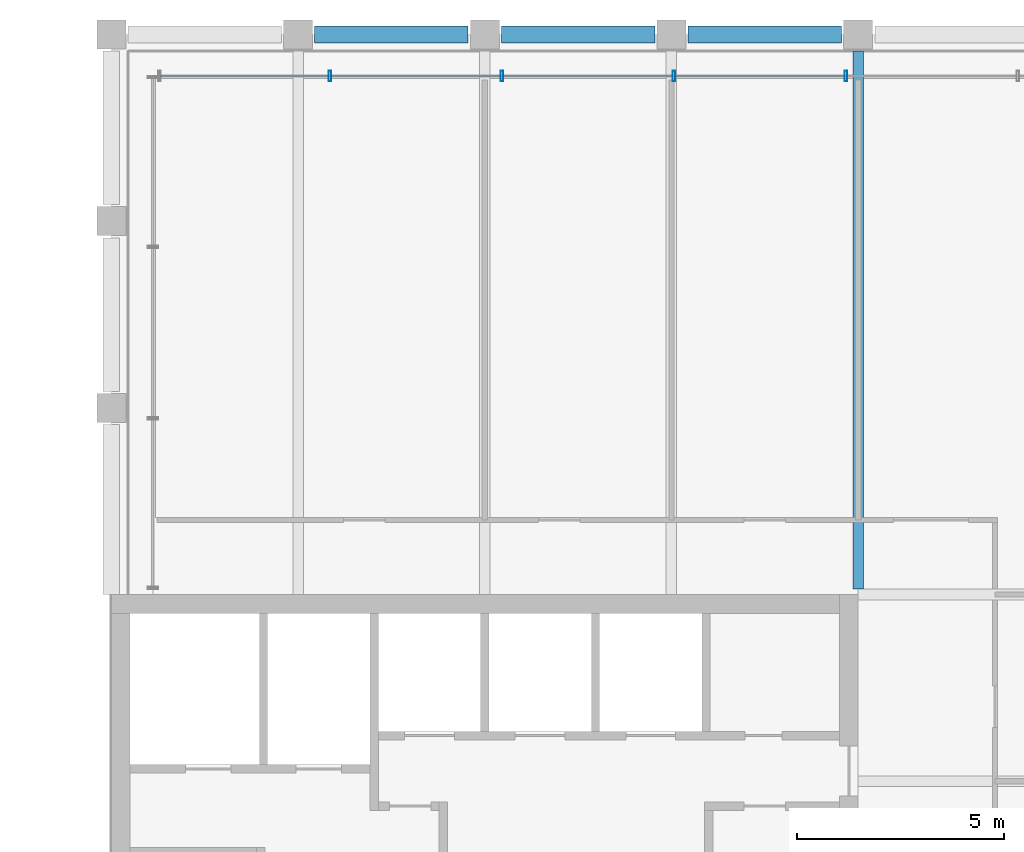
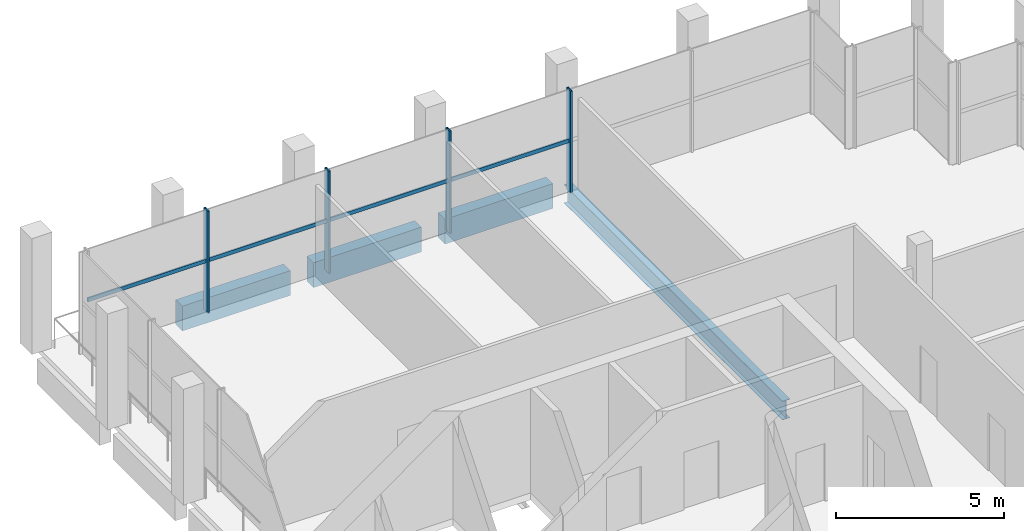
# One storey, part 11 of 17: 8 members, 4 beams, 1 element without a shape of its own.
"""IFC4 building model written with IfcOpenShell, lengths in metres."""

from ifc_helpers import new_model, si_unit, direction, frame, origin, origin_2d, place, context, subcontext, project, spatial, rectangle, hollow_rectangle, i_section, extrude, material, material_profile, profile_set, type_object, element, aggregate, save


model = new_model("IFC4")

# Units and contexts
model_context = context("Model", 3, precision=1e-05, world=origin(), true_north=direction((0.0, 1.0)))
body_context = subcontext(model_context, "Body", "Model", "MODEL_VIEW")
ifc_project = project(units=[si_unit("LENGTHUNIT", "METRE"), si_unit("AREAUNIT", "SQUARE_METRE"), si_unit("VOLUMEUNIT", "CUBIC_METRE"), si_unit("PLANEANGLEUNIT", "RADIAN"), si_unit("MASSUNIT", "GRAM", prefix="KILO")], contexts=[model_context])

# Site, building, storey
site_placement = place(None, origin())
site = spatial("IfcSite", under=ifc_project, at=site_placement, CompositionType="ELEMENT")
building_placement = place(site_placement, origin())
building = spatial("IfcBuilding", under=site, at=building_placement, Name="Altepetl Exchange Towers", CompositionType="ELEMENT")
storey_placement = place(building_placement, frame((0.0, 0.0, 251.0)))
storey = spatial("IfcBuildingStorey", under=building, at=storey_placement, Name="L64", CompositionType="ELEMENT", Elevation=251.0)

# Beam
ifc_material_1 = material(Name="Steel S355", Category="steel")
ifc_material_profile_1 = material_profile(ifc_material_1, i_section(OverallWidth=0.25390625, OverallDepth=0.68408203125, WebThickness=0.012451171875, FlangeThickness=0.018798828125, at=origin_2d()), Name="W27X94")
ifc_profile_set_1 = profile_set([ifc_material_profile_1], Name="Steel S355")
beam_type_1 = type_object("IfcBeamType", Name="Floor beam W27X94", PredefinedType="BEAM", material=ifc_profile_set_1)
beam_placement = place(storey_placement, frame((58.5, 58.634033203125, -0.51708984375), z_axis=(0.0, 1.0, 0.0), x_axis=(-1.0, 0.0, 0.0)))
element("IfcBeam", 1, at=beam_placement, inside=storey, type_object=beam_type_1, Name="bm:A:L64:003", PredefinedType="BEAM", context=body_context, shape_type="SweptSolid", body=[
    extrude(i_section(OverallWidth=0.25390625, OverallDepth=0.68408203125, WebThickness=0.012451171875, FlangeThickness=0.018798828125, at=origin_2d()), origin(), (0.0, 0.0, 1.0), 12.966064453125),
])

# Curtain wall, members
ifc_material_2 = material(Name="Aluminium 6063-T6 glazing", Category="aluminium")
curtain_wall_type = type_object("IfcCurtainWallType", Name="Executive flush glazing system", PredefinedType="NOTDEFINED", material=ifc_material_2)
curtain_wall_placement = place(storey_placement, origin())
curtain_wall = element("IfcCurtainWall", 2, at=curtain_wall_placement, inside=storey, type_object=curtain_wall_type, Name="CW4 run", PredefinedType="NOTDEFINED")
ifc_material_3 = material(Name="Aluminium 6063-T6", Category="aluminium")
ifc_material_profile_2 = material_profile(ifc_material_3, hollow_rectangle(XDim=0.06005859375, YDim=0.25, WallThickness=0.0029296875, at=origin_2d()), Name="Mullion 60x250 hollow aluminium")
ifc_profile_set_2 = profile_set([ifc_material_profile_2], Name="Aluminium 6063-T6")
member_type_1 = type_object("IfcMemberType", Name="Mullion 60x250 hollow aluminium", PredefinedType="MULLION", material=ifc_profile_set_2)
member_1_placement = place(storey_placement, frame((58.208251953125, 71.0, 0.0), z_axis=(0.0, 0.0, 1.0), x_axis=(-1.0, 0.0, 0.0)))
member_1 = element("IfcMember", 3, at=member_1_placement, type_object=member_type_1, Name="MU3 mullion", PredefinedType="MULLION", context=body_context, shape_type="SweptSolid", body=[
    extrude(hollow_rectangle(XDim=0.06005859375, YDim=0.25, WallThickness=0.0029296875, at=origin_2d()), origin(), (0.0, 0.0, 1.0), 3.699951171875),
])
member_2_placement = place(storey_placement, frame((54.0625, 71.0, 0.0), z_axis=(0.0, 0.0, 1.0), x_axis=(-1.0, 0.0, 0.0)))
member_2 = element("IfcMember", 4, at=member_2_placement, type_object=member_type_1, Name="MU3 mullion", PredefinedType="MULLION", context=body_context, shape_type="SweptSolid", body=[
    extrude(hollow_rectangle(XDim=0.06005859375, YDim=0.25, WallThickness=0.0029296875, at=origin_2d()), origin(), (0.0, 0.0, 1.0), 3.699951171875),
])
member_3_placement = place(storey_placement, frame((49.916748046875, 71.0, 0.0), z_axis=(0.0, 0.0, 1.0), x_axis=(-1.0, 0.0, 0.0)))
member_3 = element("IfcMember", 5, at=member_3_placement, type_object=member_type_1, Name="MU3 mullion", PredefinedType="MULLION", context=body_context, shape_type="SweptSolid", body=[
    extrude(hollow_rectangle(XDim=0.06005859375, YDim=0.25, WallThickness=0.0029296875, at=origin_2d()), origin(), (0.0, 0.0, 1.0), 3.699951171875),
])
member_4_placement = place(storey_placement, frame((45.770751953125, 71.0, 0.0), z_axis=(0.0, 0.0, 1.0), x_axis=(-1.0, 0.0, 0.0)))
member_4 = element("IfcMember", 6, at=member_4_placement, type_object=member_type_1, Name="MU3 mullion", PredefinedType="MULLION", context=body_context, shape_type="SweptSolid", body=[
    extrude(hollow_rectangle(XDim=0.06005859375, YDim=0.25, WallThickness=0.0029296875, at=origin_2d()), origin(), (0.0, 0.0, 1.0), 3.699951171875),
])

# Beams
ifc_material_4 = material(Name="Concrete C50/60 precast with cantera rosa facing", Category="concrete")
ifc_material_profile_3 = material_profile(ifc_material_4, rectangle(XDim=0.39990234375, YDim=0.89990234375, at=origin_2d()), Name="400 x 900")
ifc_profile_set_3 = profile_set([ifc_material_profile_3], Name="Concrete C50/60 precast with cantera rosa facing")
beam_type_2 = type_object("IfcBeamType", Name="Spandrel beam 400x900 cantera rosa", PredefinedType="SPANDREL", material=ifc_profile_set_3)
for number, where, z_axis, x_axis, name in (
    (7, (58.10009765625, 72.0, -0.625), (-1.0, 0.0, 0.0), (0.0, -1.0, 0.0), "sp:A:L64:026"),
    (8, (53.60009765625, 72.0, -0.625), (-1.0, 0.0, 0.0), (0.0, -1.0, 0.0), "sp:A:L64:027"),
    (9, (49.10009765625, 72.0, -0.625), (-1.0, 0.0, 0.0), (0.0, -1.0, 0.0), "sp:A:L64:028"),
):
    element("IfcBeam", number, at=place(storey_placement, frame(where, z_axis=z_axis, x_axis=x_axis)), inside=storey, type_object=beam_type_2, Name=name, PredefinedType="SPANDREL", context=body_context, shape_type="SweptSolid", body=[
        extrude(rectangle(XDim=0.39990234375, YDim=0.89990234375, at=origin_2d()), origin(), (0.0, 0.0, 1.0), 3.7001953125),
    ])

# Member
ifc_material_profile_4 = material_profile(ifc_material_3, hollow_rectangle(XDim=0.050048828125, YDim=0.139892578125, WallThickness=0.0029296875, at=origin_2d()), Name="Transom 50x140 hollow aluminium")
ifc_profile_set_4 = profile_set([ifc_material_profile_4], Name="Aluminium 6063-T6")
member_type_2 = type_object("IfcMemberType", Name="Transom 50x140 hollow aluminium", PredefinedType="USERDEFINED", material=ifc_profile_set_4)
member_5_placement = place(storey_placement, frame((58.17822265625, 71.0, 1.85009765625), z_axis=(-1.0, 0.0, 0.0), x_axis=(0.0, -1.0, 0.0)))
member_5 = element("IfcMember", 10, at=member_5_placement, type_object=member_type_2, Name="TR2 transom", ObjectType="TRANSOM", PredefinedType="USERDEFINED", context=body_context, shape_type="SweptSolid", body=[
    extrude(hollow_rectangle(XDim=0.050048828125, YDim=0.139892578125, WallThickness=0.0029296875, at=origin_2d()), origin(), (0.0, 0.0, 1.0), 4.085693359375),
])

member_6_placement = place(storey_placement, frame((54.032470703125, 71.0, 1.85009765625), z_axis=(-1.0, 0.0, 0.0), x_axis=(0.0, -1.0, 0.0)))
member_6 = element("IfcMember", 11, at=member_6_placement, type_object=member_type_2, Name="TR2 transom", ObjectType="TRANSOM", PredefinedType="USERDEFINED", context=body_context, shape_type="SweptSolid", body=[
    extrude(hollow_rectangle(XDim=0.050048828125, YDim=0.139892578125, WallThickness=0.0029296875, at=origin_2d()), origin(), (0.0, 0.0, 1.0), 4.085693359375),
])

member_7_placement = place(storey_placement, frame((49.88671875, 71.0, 1.85009765625), z_axis=(-1.0, 0.0, 0.0), x_axis=(0.0, -1.0, 0.0)))
member_7 = element("IfcMember", 12, at=member_7_placement, type_object=member_type_2, Name="TR2 transom", ObjectType="TRANSOM", PredefinedType="USERDEFINED", context=body_context, shape_type="SweptSolid", body=[
    extrude(hollow_rectangle(XDim=0.050048828125, YDim=0.139892578125, WallThickness=0.0029296875, at=origin_2d()), origin(), (0.0, 0.0, 1.0), 4.0859375),
])

member_8_placement = place(storey_placement, frame((45.74072265625, 71.0, 1.85009765625), z_axis=(-1.0, 0.0, 0.0), x_axis=(0.0, -1.0, 0.0)))
member_8 = element("IfcMember", 13, at=member_8_placement, type_object=member_type_2, Name="TR2 transom", ObjectType="TRANSOM", PredefinedType="USERDEFINED", context=body_context, shape_type="SweptSolid", body=[
    extrude(hollow_rectangle(XDim=0.050048828125, YDim=0.139892578125, WallThickness=0.0029296875, at=origin_2d()), origin(), (0.0, 0.0, 1.0), 4.0556640625),
])

aggregate(curtain_wall, [member_1, member_2, member_3, member_4, member_5, member_6, member_7, member_8])

save(model, "model.ifc")
